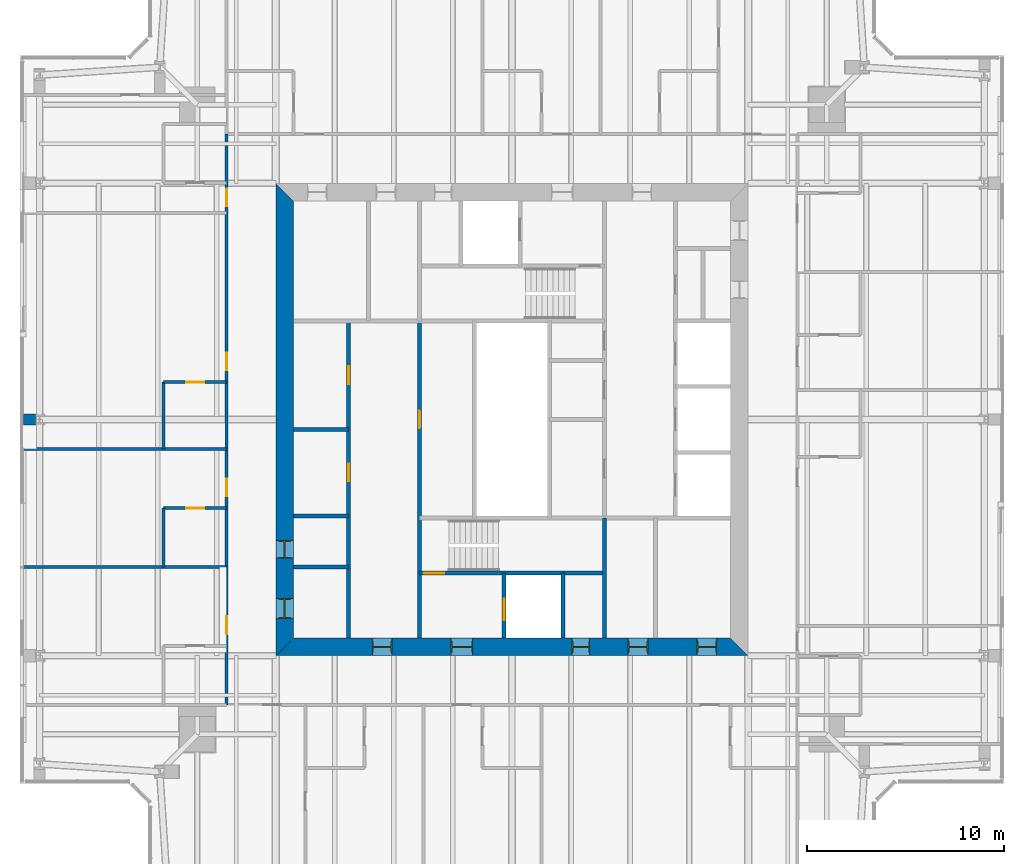
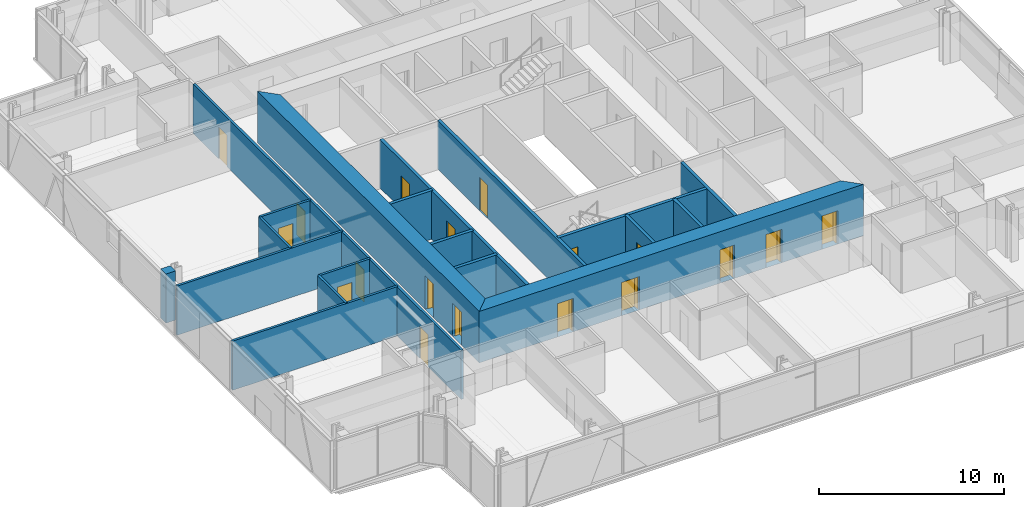
# One storey, part 12 of 18: 19 walls, 18 doors, 18 openings.
"""IFC4 building model written with IfcOpenShell, lengths in metres."""

import ifcopenshell
import ifcopenshell.guid

model = None  # the IFC model being written
_history = None  # IfcOwnerHistory: only IFC2X3 demands one
_inside = {}  # id of a spatial element -> (the spatial element, [elements in it])
_under = {}  # id of a project, library or spatial element -> (it, [spatial elements below it])
_declared = {}  # id of a project -> (the project, [libraries it declares])
_typed = {}  # id of a type object -> (the type object, [elements of that type])
_made_of = {}  # id of a material, layer set ... -> (it, [elements and type objects made of it])


def new_model(schema):
    """Start an empty IFC model of exactly this schema.

    Asked for "IFC4X3", IfcOpenShell would pick the latest addendum, in which some entities
    have other attributes; the version numbers below select the first issue.
    IFC2X3 requires an IfcOwnerHistory on every rooted entity: one is made here for all.
    """
    global model, _history
    if schema == "IFC4X3":
        model = ifcopenshell.file(schema_version=(4, 3, 0, 0))
    else:
        model = ifcopenshell.file(schema=schema)
    _inside.clear()
    _under.clear()
    _declared.clear()
    _typed.clear()
    _made_of.clear()
    _history = None
    if model.schema == "IFC2X3":
        org = make("IfcOrganization", Name="unknown")
        user = make(
            "IfcPersonAndOrganization",
            ThePerson=make("IfcPerson", FamilyName="unknown"),
            TheOrganization=org,
        )
        app = make(
            "IfcApplication",
            ApplicationDeveloper=org,
            Version="unknown",
            ApplicationFullName="unknown",
            ApplicationIdentifier="unknown",
        )
        _history = make(
            "IfcOwnerHistory",
            OwningUser=user,
            OwningApplication=app,
            ChangeAction="ADDED",
            CreationDate=0,
        )
    return model


def make(cls, **values):
    """One entity of the class cls with the attributes given. An attribute that is None is left unset."""
    return model.create_entity(
        cls, **{name: value for name, value in values.items() if value is not None}
    )


def rooted(cls, **values):
    """An entity with a GlobalId (a new one), such as an element, a storey or a relation."""
    return make(cls, GlobalId=ifcopenshell.guid.new(), OwnerHistory=_history, **values)


def si_unit(unit_type, name, prefix=None):
    """IfcSIUnit, for example si_unit("LENGTHUNIT", "METRE", prefix="MILLI")."""
    return make("IfcSIUnit", UnitType=unit_type, Prefix=prefix, Name=name)


def assignment(units):
    """IfcUnitAssignment: the units of a project."""
    return None if units is None else make("IfcUnitAssignment", Units=units)


def point(xyz):
    """IfcCartesianPoint."""
    return None if xyz is None else make("IfcCartesianPoint", Coordinates=xyz)


def direction(xyz):
    """IfcDirection."""
    return None if xyz is None else make("IfcDirection", DirectionRatios=xyz)


def frame(location, z_axis=None, x_axis=None):
    """IfcAxis2Placement3D, a coordinate frame: its origin and axes. An axis left out is left unset."""
    return make(
        "IfcAxis2Placement3D",
        Location=point(location),
        Axis=direction(z_axis),
        RefDirection=direction(x_axis),
    )


def frame_2d(location, x_axis=None):
    """IfcAxis2Placement2D, a coordinate frame in the plane: its origin and x axis."""
    return make(
        "IfcAxis2Placement2D", Location=point(location), RefDirection=direction(x_axis)
    )


def origin():
    """The frame at (0, 0, 0) with its axes left unset."""
    return frame((0.0, 0.0, 0.0))


def place(relative_to, where):
    """IfcLocalPlacement: puts the frame where relative to a parent placement (None: the world)."""
    return make(
        "IfcLocalPlacement", PlacementRelTo=relative_to, RelativePlacement=where
    )


def context(
    kind, dimensions, precision=None, world=None, true_north=None, identifier=None
):
    """IfcGeometricRepresentationContext, for example the 3D "Model" context."""
    return make(
        "IfcGeometricRepresentationContext",
        ContextIdentifier=identifier,
        ContextType=kind,
        CoordinateSpaceDimension=dimensions,
        Precision=precision,
        WorldCoordinateSystem=world,
        TrueNorth=true_north,
    )


def subcontext(parent, identifier, kind, view, scale=None):
    """IfcGeometricRepresentationSubContext, for example "Body" below "Model"."""
    return make(
        "IfcGeometricRepresentationSubContext",
        ContextIdentifier=identifier,
        ContextType=kind,
        ParentContext=parent,
        TargetScale=scale,
        TargetView=view,
    )


def project(units=None, contexts=None):
    """IfcProject with its units and contexts."""
    return rooted(
        "IfcProject",
        Name="project",
        RepresentationContexts=contexts,
        UnitsInContext=assignment(units),
    )


def spatial(cls, under=None, at=None, **own):
    """A site, building, storey or space (cls), placed at a placement, below another one or the project."""
    s = rooted(cls, ObjectPlacement=at, **own)
    if under is not None:
        _under.setdefault(under.id(), (under, []))[1].append(s)
    return s


def polyline(points):
    """IfcPolyline through the points."""
    return make("IfcPolyline", Points=[point(p) for p in points])


def profile(cls, at=None, kind="AREA", **sizes):
    """A parametric profile (cls). Its sizes go by their IFC names, for example OverallWidth=200.0."""
    return make(cls, ProfileType=kind, Position=at, **sizes)


def rectangle(**sizes):
    """IfcRectangleProfileDef."""
    return profile("IfcRectangleProfileDef", **sizes)


def outline(outer, holes=None, kind="AREA"):
    """IfcArbitraryClosedProfileDef: a profile drawn as a closed curve; with holes, ...WithVoids."""
    if holes is None:
        return make("IfcArbitraryClosedProfileDef", ProfileType=kind, OuterCurve=outer)
    return make(
        "IfcArbitraryProfileDefWithVoids",
        ProfileType=kind,
        OuterCurve=outer,
        InnerCurves=holes,
    )


def extrude(swept, where, along, depth):
    """IfcExtrudedAreaSolid: the profile swept, set in the frame where, extruded along a direction by depth."""
    return make(
        "IfcExtrudedAreaSolid",
        SweptArea=swept,
        Position=where,
        ExtrudedDirection=direction(along),
        Depth=depth,
    )


def shape(context_of_items, identifier, shape_type, items):
    """IfcShapeRepresentation: the items that make up one representation, for example the "Body"."""
    return make(
        "IfcShapeRepresentation",
        ContextOfItems=context_of_items,
        RepresentationIdentifier=identifier,
        RepresentationType=shape_type,
        Items=items,
    )


def material(Name=None, Category=None):
    """IfcMaterial."""
    return make("IfcMaterial", Name=Name, Category=Category)


def layer(
    of_material, thickness, ventilated=None, Name=None, Category=None, Priority=None
):
    """IfcMaterialLayer: one layer of a wall or slab, of a material (None: an air gap)."""
    return make(
        "IfcMaterialLayer",
        Material=of_material,
        LayerThickness=thickness,
        IsVentilated=ventilated,
        Name=Name,
        Category=Category,
        Priority=Priority,
    )


def layer_set(layers, Name=None):
    """IfcMaterialLayerSet."""
    return make("IfcMaterialLayerSet", MaterialLayers=layers, LayerSetName=Name)


def made_of(thing, what):
    """Note that an element or type object is made of a material, layer set ...; save() writes the relation."""
    if what is not None:
        _made_of.setdefault(what.id(), (what, []))[1].append(thing)
    return thing


def type_object(cls, material=None, **own):
    """A type object (cls), such as IfcWallType, which elements share."""
    return made_of(rooted(cls, **own), material)


def element(
    cls,
    number,
    at=None,
    inside=None,
    cuts=None,
    type_object=None,
    material=None,
    context=None,
    identifier="Body",
    shape_type=None,
    held_by="IfcProductDefinitionShape",
    body=None,
    shapes=None,
    **own,
):
    """One element of the class cls, such as IfcWall. Its Tag is "e" and its number.

    at: its placement. inside: the storey or other place that contains it. cuts: it is an
    opening in that element (IfcRelVoidsElement). A single representation is given by context,
    identifier, shape_type and body (its items); several are given by shapes. held_by: the class
    of the entity that holds the representations. save() writes the other relations.
    """
    e = rooted(cls, Tag="e%d" % number, ObjectPlacement=at, **own)
    if body is not None:
        shapes = [shape(context, identifier, shape_type, body)]
    if shapes is not None:
        e.Representation = make(held_by, Representations=shapes)
    if inside is not None:
        _inside.setdefault(inside.id(), (inside, []))[1].append(e)
    if cuts is not None:
        rooted(
            "IfcRelVoidsElement", RelatingBuildingElement=cuts, RelatedOpeningElement=e
        )
    if type_object is not None:
        _typed.setdefault(type_object.id(), (type_object, []))[1].append(e)
    return made_of(e, material)


def fill(opening, filler):
    """IfcRelFillsElement: the door or window that sits in an opening."""
    return rooted(
        "IfcRelFillsElement",
        RelatingOpeningElement=opening,
        RelatedBuildingElement=filler,
    )


def aggregate(whole, parts):
    """IfcRelAggregates: a whole, such as a stair, and the parts it consists of."""
    return rooted("IfcRelAggregates", RelatingObject=whole, RelatedObjects=parts)


def save(model, path):
    """Write the relations noted so far, then the file.

    IfcRelAggregates (storeys below a building ...), IfcRelContainedInSpatialStructure (elements
    in a storey), IfcRelDefinesByType, IfcRelAssociatesMaterial and IfcRelDeclares: one each for
    every whole, place, type object, material and project.
    """
    for whole, parts in _under.values():
        aggregate(whole, parts)
    for where, things in _inside.values():
        rooted(
            "IfcRelContainedInSpatialStructure",
            RelatedElements=things,
            RelatingStructure=where,
        )
    for kind, things in _typed.values():
        rooted("IfcRelDefinesByType", RelatedObjects=things, RelatingType=kind)
    for what, things in _made_of.values():
        rooted("IfcRelAssociatesMaterial", RelatedObjects=things, RelatingMaterial=what)
    for by, libraries in _declared.values():
        rooted("IfcRelDeclares", RelatingContext=by, RelatedDefinitions=libraries)
    model.write(path)


model = new_model("IFC4")

# Units and contexts
model_context = context("Model", 3, precision=1e-05, world=origin(), true_north=direction((0.0, 1.0)))
body_context = subcontext(model_context, "Body", "Model", "MODEL_VIEW")
ifc_project = project(units=[si_unit("LENGTHUNIT", "METRE"), si_unit("AREAUNIT", "SQUARE_METRE"), si_unit("VOLUMEUNIT", "CUBIC_METRE"), si_unit("PLANEANGLEUNIT", "RADIAN"), si_unit("MASSUNIT", "GRAM", prefix="KILO")], contexts=[model_context])

# Site, building, storey
site_placement = place(None, origin())
site = spatial("IfcSite", under=ifc_project, at=site_placement, CompositionType="ELEMENT")
building_placement = place(site_placement, origin())
building = spatial("IfcBuilding", under=site, at=building_placement, Name="Fenwick Lantern Interchange", CompositionType="ELEMENT")
storey_placement = place(building_placement, frame((0.0, 0.0, 290.0)))
storey = spatial("IfcBuildingStorey", under=building, at=storey_placement, Name="L70", CompositionType="ELEMENT", Elevation=290.0)

# Wall
ifc_material_1 = material(Name="Fire-rated gypsum board encasement on steel studs, 2 hour", Category="steel")
ifc_layer_1 = layer(ifc_material_1, 0.574951171875)
ifc_layer_set_1 = layer_set([ifc_layer_1], Name="COLUMN PIER 575")
wall_type_1 = type_object("IfcWallType", Name="COLUMN PIER 575", PredefinedType="PARTITIONING", material=ifc_layer_set_1)
wall_1_placement = place(storey_placement, frame((0.18994140625, 25.0, 0.0), z_axis=(0.0, 0.0, 1.0), x_axis=(1.0, 0.0, 0.0)))
element("IfcWall", 1, at=wall_1_placement, inside=storey, type_object=wall_type_1, Name="L70/W/PIER/CW3", PredefinedType="PARTITIONING", context=body_context, shape_type="SweptSolid", body=[
    extrude(rectangle(XDim=0.597900390625, YDim=0.574951171875, at=frame_2d((0.298828125, 0.0))), origin(), (0.0, 0.0, 1.0), 3.25),
])

# Wall, openings, doors
ifc_material_2 = material(Name="Concrete masonry ASTM C90 Grade N", Category="masonry")
ifc_layer_2 = layer(ifc_material_2, 0.199951171875)
ifc_layer_set_2 = layer_set([ifc_layer_2], Name="Concrete masonry ASTM C90 Grade N")
wall_type_2 = type_object("IfcWallType", Name="CORE PARTITION 200", PredefinedType="PARTITIONING", material=ifc_layer_set_2)
wall_2_placement = place(storey_placement, frame((16.699951171875, 13.89990234375, 0.0), z_axis=(0.0, 0.0, 1.0), x_axis=(0.0, 1.0, 0.0)))
wall_2 = element("IfcWall", 2, at=wall_2_placement, inside=storey, type_object=wall_type_2, Name="L70/W/CORES/a", PredefinedType="PARTITIONING", context=body_context, shape_type="SweptSolid", body=[
    extrude(rectangle(XDim=16.10009765625, YDim=0.199951171875, at=frame_2d((8.050048828125, 0.0))), origin(), (0.0, 0.0, 1.0), 3.199951171875),
])
opening_1_placement = place(wall_2_placement, frame((7.949951171875, 0.0, 0.0)))
opening_1 = element("IfcOpeningElement", 3, at=opening_1_placement, cuts=wall_2, Name="Opening L70-D009", PredefinedType="OPENING", context=body_context, shape_type="SweptSolid", body=[
    extrude(rectangle(XDim=0.89990234375, YDim=2.199951171875, at=frame_2d((0.449951171875, 1.10009765625))), frame((0.0, 0.10986328125, 0.0), z_axis=(0.0, -1.0, 0.0), x_axis=(1.0, 0.0, 0.0)), (0.0, 0.0, 1.0), 0.219970703125),
])
opening_2_placement = place(wall_2_placement, frame((12.89990234375, 0.0, 0.0)))
opening_2 = element("IfcOpeningElement", 4, at=opening_2_placement, cuts=wall_2, Name="Opening L70-D010", PredefinedType="OPENING", context=body_context, shape_type="SweptSolid", body=[
    extrude(rectangle(XDim=0.89990234375, YDim=2.199951171875, at=frame_2d((0.449951171875, 1.10009765625))), frame((0.0, 0.10986328125, 0.0), z_axis=(0.0, -1.0, 0.0), x_axis=(1.0, 0.0, 0.0)), (0.0, 0.0, 1.0), 0.219970703125),
])
ifc_material_3 = material(Name="Steel door and frame", Category="steel")
door_type_1 = type_object("IfcDoorType", Name="SERVICE DOOR 900 X 2200", OperationType="SINGLE_SWING_LEFT", PredefinedType="DOOR", material=ifc_material_3)
door_1_placement = place(opening_1_placement, origin())
door_1 = element("IfcDoor", 5, at=door_1_placement, inside=storey, type_object=door_type_1, Name="Service door", OperationType="SINGLE_SWING_LEFT", OverallHeight=2.199951171875, OverallWidth=0.89990234375, PredefinedType="DOOR", context=body_context, shape_type="SweptSolid", body=[
    extrude(rectangle(XDim=0.89990234375, YDim=2.199951171875, at=frame_2d((0.449951171875, 1.10009765625))), frame((0.0, 0.02490234375, 0.0), z_axis=(0.0, -1.0, 0.0), x_axis=(1.0, 0.0, 0.0)), (0.0, 0.0, 1.0), 0.050048828125),
])
fill(opening_1, door_1)
door_2_placement = place(opening_2_placement, origin())
door_2 = element("IfcDoor", 6, at=door_2_placement, inside=storey, type_object=door_type_1, Name="Service door", OperationType="SINGLE_SWING_LEFT", OverallHeight=2.199951171875, OverallWidth=0.89990234375, PredefinedType="DOOR", context=body_context, shape_type="SweptSolid", body=[
    extrude(rectangle(XDim=0.89990234375, YDim=2.199951171875, at=frame_2d((0.449951171875, 1.10009765625))), frame((0.0, 0.02490234375, 0.0), z_axis=(0.0, -1.0, 0.0), x_axis=(1.0, 0.0, 0.0)), (0.0, 0.0, 1.0), 0.050048828125),
])
fill(opening_2, door_2)

# Wall, opening, door
wall_3_placement = place(storey_placement, frame((24.60009765625, 13.89990234375, 0.0), z_axis=(0.0, 0.0, 1.0), x_axis=(0.0, 1.0, 0.0)))
wall_3 = element("IfcWall", 7, at=wall_3_placement, inside=storey, type_object=wall_type_2, Name="L70/W/CORES/h1", PredefinedType="PARTITIONING", context=body_context, shape_type="SweptSolid", body=[
    extrude(rectangle(XDim=3.300048828125, YDim=0.199951171875, at=frame_2d((1.64990234375, 0.0))), origin(), (0.0, 0.0, 1.0), 3.199951171875),
])
opening_3_placement = place(wall_3_placement, frame((0.89990234375, 0.0, 0.0)))
opening_3 = element("IfcOpeningElement", 8, at=opening_3_placement, cuts=wall_3, Name="Opening LD-FL1", PredefinedType="OPENING", context=body_context, shape_type="SweptSolid", body=[
    extrude(rectangle(XDim=1.10009765625, YDim=2.199951171875, at=frame_2d((0.550048828125, 1.10009765625))), frame((0.0, 0.10986328125, 0.0), z_axis=(0.0, -1.0, 0.0), x_axis=(1.0, 0.0, 0.0)), (0.0, 0.0, 1.0), 0.219970703125),
])
door_type_2 = type_object("IfcDoorType", Name="LIFT LANDING DOOR 1100 X 2200", OperationType="DOUBLE_DOOR_SLIDING", PredefinedType="DOOR", material=ifc_material_3)
door_3_placement = place(opening_3_placement, origin())
door_3 = element("IfcDoor", 9, at=door_3_placement, inside=storey, type_object=door_type_2, Name="Lift landing door FL1", OperationType="DOUBLE_DOOR_SLIDING", OverallHeight=2.199951171875, OverallWidth=1.10009765625, PredefinedType="DOOR", context=body_context, shape_type="SweptSolid", body=[
    extrude(rectangle(XDim=1.10009765625, YDim=2.199951171875, at=frame_2d((0.550048828125, 1.10009765625))), frame((0.0, 0.02490234375, 0.0), z_axis=(0.0, -1.0, 0.0), x_axis=(1.0, 0.0, 0.0)), (0.0, 0.0, 1.0), 0.050048828125),
])
fill(opening_3, door_3)

# Walls
wall_4_placement = place(storey_placement, frame((27.60009765625, 13.89990234375, 0.0), z_axis=(0.0, 0.0, 1.0), x_axis=(0.0, 1.0, 0.0)))
element("IfcWall", 10, at=wall_4_placement, inside=storey, type_object=wall_type_2, Name="L70/W/CORES/h2", PredefinedType="PARTITIONING", context=body_context, shape_type="SweptSolid", body=[
    extrude(rectangle(XDim=3.300048828125, YDim=0.199951171875, at=frame_2d((1.64990234375, 0.0))), origin(), (0.0, 0.0, 1.0), 3.199951171875),
])
for number, where, z_axis, x_axis, name in (
    (11, (13.89990234375, 17.5, 0.0), (0.0, 0.0, 1.0), (1.0, 0.0, 0.0), "L70/W/CORES/p1"),
    (12, (13.89990234375, 20.10009765625, 0.0), (0.0, 0.0, 1.0), (1.0, 0.0, 0.0), "L70/W/CORES/p2"),
    (13, (13.89990234375, 24.5, 0.0), (0.0, 0.0, 1.0), (1.0, 0.0, 0.0), "L70/W/CORES/p3"),
):
    element("IfcWall", number, at=place(storey_placement, frame(where, z_axis=z_axis, x_axis=x_axis)), inside=storey, type_object=wall_type_2, Name=name, PredefinedType="PARTITIONING", context=body_context, shape_type="SweptSolid", body=[
        extrude(rectangle(XDim=2.800048828125, YDim=0.199951171875, at=frame_2d((1.39990234375, 0.0))), origin(), (0.0, 0.0, 1.0), 3.199951171875),
    ])

# Wall, openings, doors
ifc_material_4 = material(Name="Concrete f'c 70 MPa", Category="concrete")
ifc_layer_3 = layer(ifc_material_4, 0.89990234375)
ifc_layer_set_3 = layer_set([ifc_layer_3], Name="CORE WALL 900")
wall_type_3 = type_object("IfcWallType", Name="CORE WALL 900", PredefinedType="SHEAR", material=ifc_layer_set_3)
wall_5_placement = place(storey_placement, frame((13.0, 13.449951171875, 0.0), z_axis=(0.0, 0.0, 1.0), x_axis=(1.0, 0.0, 0.0)))
wall_5 = element("IfcWall", 14, at=wall_5_placement, inside=storey, type_object=wall_type_3, Name="L70/CORE/S", PredefinedType="SHEAR", context=body_context, shape_type="SweptSolid", body=[
    extrude(outline(polyline([(0.0, -0.449951171875), (24.0, -0.449951171875), (23.10009765625, 0.449951171875), (0.89990234375, 0.449951171875), (0.0, -0.449951171875)])), origin(), (0.0, 0.0, 1.0), 3.39990234375),
])
opening_4_placement = place(wall_5_placement, frame((4.89990234375, 0.0, 0.0)))
opening_4 = element("IfcOpeningElement", 15, at=opening_4_placement, cuts=wall_5, Name="Opening L70-D001", PredefinedType="OPENING", context=body_context, shape_type="SweptSolid", body=[
    extrude(rectangle(XDim=1.0, YDim=2.199951171875, at=frame_2d((0.5, 1.10009765625))), frame((0.0, 0.4599609375, 0.0), z_axis=(0.0, -1.0, 0.0), x_axis=(1.0, 0.0, 0.0)), (0.0, 0.0, 1.0), 0.919921875),
])
opening_5_placement = place(wall_5_placement, frame((8.89990234375, 0.0, 0.0)))
opening_5 = element("IfcOpeningElement", 16, at=opening_5_placement, cuts=wall_5, Name="Opening L70-D002", PredefinedType="OPENING", context=body_context, shape_type="SweptSolid", body=[
    extrude(rectangle(XDim=1.10009765625, YDim=2.199951171875, at=frame_2d((0.550048828125, 1.10009765625))), frame((0.0, 0.4599609375, 0.0), z_axis=(0.0, -1.0, 0.0), x_axis=(1.0, 0.0, 0.0)), (0.0, 0.0, 1.0), 0.919921875),
])
opening_6_placement = place(wall_5_placement, frame((15.050048828125, 0.0, 0.0)))
opening_6 = element("IfcOpeningElement", 17, at=opening_6_placement, cuts=wall_5, Name="Opening L70-D004", PredefinedType="OPENING", context=body_context, shape_type="SweptSolid", body=[
    extrude(rectangle(XDim=0.89990234375, YDim=2.199951171875, at=frame_2d((0.449951171875, 1.10009765625))), frame((0.0, 0.4599609375, 0.0), z_axis=(0.0, -1.0, 0.0), x_axis=(1.0, 0.0, 0.0)), (0.0, 0.0, 1.0), 0.919921875),
])
opening_7_placement = place(wall_5_placement, frame((17.89990234375, 0.0, 0.0)))
opening_7 = element("IfcOpeningElement", 18, at=opening_7_placement, cuts=wall_5, Name="Opening L70-D005", PredefinedType="OPENING", context=body_context, shape_type="SweptSolid", body=[
    extrude(rectangle(XDim=1.0, YDim=2.199951171875, at=frame_2d((0.5, 1.10009765625))), frame((0.0, 0.4599609375, 0.0), z_axis=(0.0, -1.0, 0.0), x_axis=(1.0, 0.0, 0.0)), (0.0, 0.0, 1.0), 0.919921875),
])
opening_8_placement = place(wall_5_placement, frame((21.39990234375, 0.0, 0.0)))
opening_8 = element("IfcOpeningElement", 19, at=opening_8_placement, cuts=wall_5, Name="Opening L70-D006", PredefinedType="OPENING", context=body_context, shape_type="SweptSolid", body=[
    extrude(rectangle(XDim=1.0, YDim=2.199951171875, at=frame_2d((0.5, 1.10009765625))), frame((0.0, 0.4599609375, 0.0), z_axis=(0.0, -1.0, 0.0), x_axis=(1.0, 0.0, 0.0)), (0.0, 0.0, 1.0), 0.919921875),
])
door_type_3 = type_object("IfcDoorType", Name="CORE LOBBY DOOR 1000 X 2200", OperationType="SINGLE_SWING_LEFT", PredefinedType="DOOR", material=ifc_material_3)
door_4_placement = place(opening_4_placement, origin())
door_4 = element("IfcDoor", 20, at=door_4_placement, inside=storey, type_object=door_type_3, Name="Core lobby door", OperationType="SINGLE_SWING_LEFT", OverallHeight=2.199951171875, OverallWidth=1.0, PredefinedType="DOOR", context=body_context, shape_type="SweptSolid", body=[
    extrude(rectangle(XDim=1.0, YDim=2.199951171875, at=frame_2d((0.5, 1.10009765625))), frame((0.0, 0.02490234375, 0.0), z_axis=(0.0, -1.0, 0.0), x_axis=(1.0, 0.0, 0.0)), (0.0, 0.0, 1.0), 0.050048828125),
    extrude(outline(polyline([(0.0, 0.0), (0.0400390625, 0.0), (0.0400390625, 2.159912109375), (0.9599609375, 2.159912109375), (0.9599609375, 0.0), (1.0, 0.0), (1.0, 2.199951171875), (0.0, 2.199951171875), (0.0, 0.0)])), frame((0.0, 0.300048828125, 0.0), z_axis=(0.0, -1.0, 0.0), x_axis=(1.0, 0.0, 0.0)), (0.0, 0.0, 1.0), 0.60009765625),
])
fill(opening_4, door_4)
door_type_4 = type_object("IfcDoorType", Name="FIRE LOBBY DOOR 1100 X 2200", OperationType="SINGLE_SWING_LEFT", PredefinedType="DOOR", material=ifc_material_3)
door_5_placement = place(opening_5_placement, origin())
door_5 = element("IfcDoor", 21, at=door_5_placement, inside=storey, type_object=door_type_4, Name="Fire lobby door", OperationType="SINGLE_SWING_LEFT", OverallHeight=2.199951171875, OverallWidth=1.10009765625, PredefinedType="DOOR", context=body_context, shape_type="SweptSolid", body=[
    extrude(rectangle(XDim=1.10009765625, YDim=2.199951171875, at=frame_2d((0.550048828125, 1.10009765625))), frame((0.0, 0.02490234375, 0.0), z_axis=(0.0, -1.0, 0.0), x_axis=(1.0, 0.0, 0.0)), (0.0, 0.0, 1.0), 0.050048828125),
    extrude(outline(polyline([(0.0, 0.0), (0.0400390625, 0.0), (0.0400390625, 2.159912109375), (1.06005859375, 2.159912109375), (1.06005859375, 0.0), (1.10009765625, 0.0), (1.10009765625, 2.199951171875), (0.0, 2.199951171875), (0.0, 0.0)])), frame((0.0, 0.300048828125, 0.0), z_axis=(0.0, -1.0, 0.0), x_axis=(1.0, 0.0, 0.0)), (0.0, 0.0, 1.0), 0.60009765625),
])
fill(opening_5, door_5)
door_6_placement = place(opening_6_placement, origin())
door_6 = element("IfcDoor", 22, at=door_6_placement, inside=storey, type_object=door_type_1, Name="Service door", OperationType="SINGLE_SWING_LEFT", OverallHeight=2.199951171875, OverallWidth=0.89990234375, PredefinedType="DOOR", context=body_context, shape_type="SweptSolid", body=[
    extrude(rectangle(XDim=0.89990234375, YDim=2.199951171875, at=frame_2d((0.449951171875, 1.10009765625))), frame((0.0, 0.02490234375, 0.0), z_axis=(0.0, -1.0, 0.0), x_axis=(1.0, 0.0, 0.0)), (0.0, 0.0, 1.0), 0.050048828125),
    extrude(outline(polyline([(0.0, 0.0), (0.0400390625, 0.0), (0.0400390625, 2.159912109375), (0.85986328125, 2.159912109375), (0.85986328125, 0.0), (0.89990234375, 0.0), (0.89990234375, 2.199951171875), (0.0, 2.199951171875), (0.0, 0.0)])), frame((0.0, 0.300048828125, 0.0), z_axis=(0.0, -1.0, 0.0), x_axis=(1.0, 0.0, 0.0)), (0.0, 0.0, 1.0), 0.60009765625),
])
fill(opening_6, door_6)
ifc_material_5 = material(Name="Hardwood door and steel frame", Category="steel")
door_type_5 = type_object("IfcDoorType", Name="WC DOOR 1000 X 2200", OperationType="SINGLE_SWING_LEFT", PredefinedType="DOOR", material=ifc_material_5)
door_7_placement = place(opening_7_placement, origin())
door_7 = element("IfcDoor", 23, at=door_7_placement, inside=storey, type_object=door_type_5, Name="Wc door", OperationType="SINGLE_SWING_RIGHT", OverallHeight=2.199951171875, OverallWidth=1.0, PredefinedType="DOOR", context=body_context, shape_type="SweptSolid", body=[
    extrude(rectangle(XDim=1.0, YDim=2.199951171875, at=frame_2d((0.5, 1.10009765625))), frame((0.0, 0.02490234375, 0.0), z_axis=(0.0, -1.0, 0.0), x_axis=(1.0, 0.0, 0.0)), (0.0, 0.0, 1.0), 0.050048828125),
    extrude(outline(polyline([(0.0, 0.0), (0.0400390625, 0.0), (0.0400390625, 2.159912109375), (0.9599609375, 2.159912109375), (0.9599609375, 0.0), (1.0, 0.0), (1.0, 2.199951171875), (0.0, 2.199951171875), (0.0, 0.0)])), frame((0.0, 0.300048828125, 0.0), z_axis=(0.0, -1.0, 0.0), x_axis=(1.0, 0.0, 0.0)), (0.0, 0.0, 1.0), 0.60009765625),
])
fill(opening_7, door_7)
door_8_placement = place(opening_8_placement, origin())
door_8 = element("IfcDoor", 24, at=door_8_placement, inside=storey, type_object=door_type_5, Name="Wc door", OperationType="SINGLE_SWING_RIGHT", OverallHeight=2.199951171875, OverallWidth=1.0, PredefinedType="DOOR", context=body_context, shape_type="SweptSolid", body=[
    extrude(rectangle(XDim=1.0, YDim=2.199951171875, at=frame_2d((0.5, 1.10009765625))), frame((0.0, 0.02490234375, 0.0), z_axis=(0.0, -1.0, 0.0), x_axis=(1.0, 0.0, 0.0)), (0.0, 0.0, 1.0), 0.050048828125),
    extrude(outline(polyline([(0.0, 0.0), (0.0400390625, 0.0), (0.0400390625, 2.159912109375), (0.9599609375, 2.159912109375), (0.9599609375, 0.0), (1.0, 0.0), (1.0, 2.199951171875), (0.0, 2.199951171875), (0.0, 0.0)])), frame((0.0, 0.300048828125, 0.0), z_axis=(0.0, -1.0, 0.0), x_axis=(1.0, 0.0, 0.0)), (0.0, 0.0, 1.0), 0.60009765625),
])
fill(opening_8, door_8)

wall_6_placement = place(storey_placement, frame((13.449951171875, 36.10009765625, 0.0), z_axis=(0.0, 0.0, 1.0), x_axis=(0.0, -1.0, 0.0)))
wall_6 = element("IfcWall", 25, at=wall_6_placement, inside=storey, type_object=wall_type_3, Name="L70/CORE/W", PredefinedType="SHEAR", context=body_context, shape_type="SweptSolid", body=[
    extrude(outline(polyline([(-0.89990234375, -0.449951171875), (23.10009765625, -0.449951171875), (22.199951171875, 0.449951171875), (0.0, 0.449951171875), (-0.89990234375, -0.449951171875)])), origin(), (0.0, 0.0, 1.0), 3.39990234375),
])
opening_9_placement = place(wall_6_placement, frame((20.199951171875, 0.0, 0.0)))
opening_9 = element("IfcOpeningElement", 26, at=opening_9_placement, cuts=wall_6, Name="Opening L70-D007", PredefinedType="OPENING", context=body_context, shape_type="SweptSolid", body=[
    extrude(rectangle(XDim=1.0, YDim=2.199951171875, at=frame_2d((0.5, 1.10009765625))), frame((0.0, 0.4599609375, 0.0), z_axis=(0.0, -1.0, 0.0), x_axis=(1.0, 0.0, 0.0)), (0.0, 0.0, 1.0), 0.919921875),
])
opening_10_placement = place(wall_6_placement, frame((17.25, 0.0, 0.0)))
opening_10 = element("IfcOpeningElement", 27, at=opening_10_placement, cuts=wall_6, Name="Opening L70-D008", PredefinedType="OPENING", context=body_context, shape_type="SweptSolid", body=[
    extrude(rectangle(XDim=0.89990234375, YDim=2.199951171875, at=frame_2d((0.449951171875, 1.10009765625))), frame((0.0, 0.4599609375, 0.0), z_axis=(0.0, -1.0, 0.0), x_axis=(1.0, 0.0, 0.0)), (0.0, 0.0, 1.0), 0.919921875),
])
door_9_placement = place(opening_10_placement, origin())
door_9 = element("IfcDoor", 28, at=door_9_placement, inside=storey, type_object=door_type_1, Name="Service door", OperationType="SINGLE_SWING_RIGHT", OverallHeight=2.199951171875, OverallWidth=0.89990234375, PredefinedType="DOOR", context=body_context, shape_type="SweptSolid", body=[
    extrude(rectangle(XDim=0.89990234375, YDim=2.199951171875, at=frame_2d((0.449951171875, 1.10009765625))), frame((0.0, 0.02490234375, 0.0), z_axis=(0.0, -1.0, 0.0), x_axis=(1.0, 0.0, 0.0)), (0.0, 0.0, 1.0), 0.050048828125),
    extrude(outline(polyline([(0.0, 0.0), (0.0400390625, 0.0), (0.0400390625, 2.159912109375), (0.85986328125, 2.159912109375), (0.85986328125, 0.0), (0.89990234375, 0.0), (0.89990234375, 2.199951171875), (0.0, 2.199951171875), (0.0, 0.0)])), frame((0.0, 0.300048828125, 0.0), z_axis=(0.0, -1.0, 0.0), x_axis=(1.0, 0.0, 0.0)), (0.0, 0.0, 1.0), 0.60009765625),
])
fill(opening_10, door_9)
door_10_placement = place(opening_9_placement, origin())
door_10 = element("IfcDoor", 29, at=door_10_placement, inside=storey, type_object=door_type_5, Name="Wc door", OperationType="SINGLE_SWING_RIGHT", OverallHeight=2.199951171875, OverallWidth=1.0, PredefinedType="DOOR", context=body_context, shape_type="SweptSolid", body=[
    extrude(rectangle(XDim=1.0, YDim=2.199951171875, at=frame_2d((0.5, 1.10009765625))), frame((0.0, 0.02490234375, 0.0), z_axis=(0.0, -1.0, 0.0), x_axis=(1.0, 0.0, 0.0)), (0.0, 0.0, 1.0), 0.050048828125),
    extrude(outline(polyline([(0.0, 0.0), (0.0400390625, 0.0), (0.0400390625, 2.159912109375), (0.9599609375, 2.159912109375), (0.9599609375, 0.0), (1.0, 0.0), (1.0, 2.199951171875), (0.0, 2.199951171875), (0.0, 0.0)])), frame((0.0, 0.300048828125, 0.0), z_axis=(0.0, -1.0, 0.0), x_axis=(1.0, 0.0, 0.0)), (0.0, 0.0, 1.0), 0.60009765625),
])
fill(opening_9, door_10)

ifc_material_6 = material(Name="Gypsum board on steel studs, 1 hour", Category="steel")
ifc_layer_4 = layer(ifc_material_6, 0.14990234375)
ifc_layer_set_4 = layer_set([ifc_layer_4], Name="CORRIDOR WALL 150")
wall_type_4 = type_object("IfcWallType", Name="CORRIDOR WALL 150", PredefinedType="PARTITIONING", material=ifc_layer_set_4)
wall_7_placement = place(storey_placement, frame((10.5, 39.5, 0.0), z_axis=(0.0, 0.0, 1.0), x_axis=(0.0, -1.0, 0.0)))
wall_7 = element("IfcWall", 30, at=wall_7_placement, inside=storey, type_object=wall_type_4, Name="L70/W/HOTEL/W/CW", PredefinedType="PARTITIONING", context=body_context, shape_type="SweptSolid", body=[
    extrude(rectangle(XDim=29.0, YDim=0.14990234375, at=frame_2d((14.5, 0.0))), origin(), (0.0, 0.0, 1.0), 3.25),
])
opening_11_placement = place(wall_7_placement, frame((2.77490234375, 0.0, 0.0)))
opening_11 = element("IfcOpeningElement", 31, at=opening_11_placement, cuts=wall_7, Name="Opening L70-D049", PredefinedType="OPENING", context=body_context, shape_type="SweptSolid", body=[
    extrude(rectangle(XDim=0.89990234375, YDim=2.10009765625, at=frame_2d((0.449951171875, 1.050048828125))), frame((0.0, 0.0849609375, 0.0), z_axis=(0.0, -1.0, 0.0), x_axis=(1.0, 0.0, 0.0)), (0.0, 0.0, 1.0), 0.169921875),
])
opening_12_placement = place(wall_7_placement, frame((11.10009765625, 0.0, 0.0)))
opening_12 = element("IfcOpeningElement", 32, at=opening_12_placement, cuts=wall_7, Name="Opening L70-D051", PredefinedType="OPENING", context=body_context, shape_type="SweptSolid", body=[
    extrude(rectangle(XDim=0.89990234375, YDim=2.10009765625, at=frame_2d((0.449951171875, 1.050048828125))), frame((0.0, 0.0849609375, 0.0), z_axis=(0.0, -1.0, 0.0), x_axis=(1.0, 0.0, 0.0)), (0.0, 0.0, 1.0), 0.169921875),
])
opening_13_placement = place(wall_7_placement, frame((17.5, 0.0, 0.0)))
opening_13 = element("IfcOpeningElement", 33, at=opening_13_placement, cuts=wall_7, Name="Opening L70-D053", PredefinedType="OPENING", context=body_context, shape_type="SweptSolid", body=[
    extrude(rectangle(XDim=0.89990234375, YDim=2.10009765625, at=frame_2d((0.449951171875, 1.050048828125))), frame((0.0, 0.0849609375, 0.0), z_axis=(0.0, -1.0, 0.0), x_axis=(1.0, 0.0, 0.0)), (0.0, 0.0, 1.0), 0.169921875),
])
opening_14_placement = place(wall_7_placement, frame((24.5, 0.0, 0.0)))
opening_14 = element("IfcOpeningElement", 34, at=opening_14_placement, cuts=wall_7, Name="Opening L70-D055", PredefinedType="OPENING", context=body_context, shape_type="SweptSolid", body=[
    extrude(rectangle(XDim=0.89990234375, YDim=2.10009765625, at=frame_2d((0.449951171875, 1.050048828125))), frame((0.0, 0.0849609375, 0.0), z_axis=(0.0, -1.0, 0.0), x_axis=(1.0, 0.0, 0.0)), (0.0, 0.0, 1.0), 0.169921875),
])
door_type_6 = type_object("IfcDoorType", Name="GUEST ROOM DOOR 900 X 2100", OperationType="SINGLE_SWING_LEFT", PredefinedType="DOOR", material=ifc_material_3)
door_11_placement = place(opening_11_placement, frame((0.89990234375, 0.0, 0.0), z_axis=(0.0, 0.0, 1.0), x_axis=(-1.0, 0.0, 0.0)))
door_11 = element("IfcDoor", 35, at=door_11_placement, inside=storey, type_object=door_type_6, Name="Guest room door", OperationType="SINGLE_SWING_RIGHT", OverallHeight=2.10009765625, OverallWidth=0.89990234375, PredefinedType="DOOR", context=body_context, shape_type="SweptSolid", body=[
    extrude(rectangle(XDim=0.89990234375, YDim=2.10009765625, at=frame_2d((0.449951171875, 1.050048828125))), frame((0.0, 0.02490234375, 0.0), z_axis=(0.0, -1.0, 0.0), x_axis=(1.0, 0.0, 0.0)), (0.0, 0.0, 1.0), 0.050048828125),
])
fill(opening_11, door_11)
door_12_placement = place(opening_12_placement, frame((0.89990234375, 0.0, 0.0), z_axis=(0.0, 0.0, 1.0), x_axis=(-1.0, 0.0, 0.0)))
door_12 = element("IfcDoor", 36, at=door_12_placement, inside=storey, type_object=door_type_6, Name="Guest room door", OperationType="SINGLE_SWING_LEFT", OverallHeight=2.10009765625, OverallWidth=0.89990234375, PredefinedType="DOOR", context=body_context, shape_type="SweptSolid", body=[
    extrude(rectangle(XDim=0.89990234375, YDim=2.10009765625, at=frame_2d((0.449951171875, 1.050048828125))), frame((0.0, 0.02490234375, 0.0), z_axis=(0.0, -1.0, 0.0), x_axis=(1.0, 0.0, 0.0)), (0.0, 0.0, 1.0), 0.050048828125),
])
fill(opening_12, door_12)
door_13_placement = place(opening_13_placement, frame((0.89990234375, 0.0, 0.0), z_axis=(0.0, 0.0, 1.0), x_axis=(-1.0, 0.0, 0.0)))
door_13 = element("IfcDoor", 37, at=door_13_placement, inside=storey, type_object=door_type_6, Name="Guest room door", OperationType="SINGLE_SWING_LEFT", OverallHeight=2.10009765625, OverallWidth=0.89990234375, PredefinedType="DOOR", context=body_context, shape_type="SweptSolid", body=[
    extrude(rectangle(XDim=0.89990234375, YDim=2.10009765625, at=frame_2d((0.449951171875, 1.050048828125))), frame((0.0, 0.02490234375, 0.0), z_axis=(0.0, -1.0, 0.0), x_axis=(1.0, 0.0, 0.0)), (0.0, 0.0, 1.0), 0.050048828125),
])
fill(opening_13, door_13)
door_14_placement = place(opening_14_placement, frame((0.89990234375, 0.0, 0.0), z_axis=(0.0, 0.0, 1.0), x_axis=(-1.0, 0.0, 0.0)))
door_14 = element("IfcDoor", 38, at=door_14_placement, inside=storey, type_object=door_type_6, Name="Guest room door", OperationType="SINGLE_SWING_LEFT", OverallHeight=2.10009765625, OverallWidth=0.89990234375, PredefinedType="DOOR", context=body_context, shape_type="SweptSolid", body=[
    extrude(rectangle(XDim=0.89990234375, YDim=2.10009765625, at=frame_2d((0.449951171875, 1.050048828125))), frame((0.0, 0.02490234375, 0.0), z_axis=(0.0, -1.0, 0.0), x_axis=(1.0, 0.0, 0.0)), (0.0, 0.0, 1.0), 0.050048828125),
])
fill(opening_14, door_14)

# Wall
ifc_material_7 = material(Name="Gypsum board on steel studs, moisture resistant", Category="steel")
ifc_layer_5 = layer(ifc_material_7, 0.14990234375)
ifc_layer_set_5 = layer_set([ifc_layer_5], Name="EN-SUITE WALL 150")
wall_type_5 = type_object("IfcWallType", Name="EN-SUITE WALL 150", PredefinedType="PARTITIONING", material=ifc_layer_set_5)
wall_8_placement = place(storey_placement, frame((7.300048828125, 26.89990234375, 0.0), z_axis=(0.0, 0.0, 1.0), x_axis=(0.0, -1.0, 0.0)))
element("IfcWall", 39, at=wall_8_placement, inside=storey, type_object=wall_type_5, Name="L70/W/HOTEL/W/U2BW", PredefinedType="PARTITIONING", context=body_context, shape_type="SweptSolid", body=[
    extrude(rectangle(XDim=3.39990234375, YDim=0.14990234375, at=frame_2d((1.699951171875, 0.0))), origin(), (0.0, 0.0, 1.0), 3.25),
])

# Wall, opening, door
wall_9_placement = place(storey_placement, frame((7.300048828125, 26.89990234375, 0.0), z_axis=(0.0, 0.0, 1.0), x_axis=(1.0, 0.0, 0.0)))
wall_9 = element("IfcWall", 40, at=wall_9_placement, inside=storey, type_object=wall_type_5, Name="L70/W/HOTEL/W/U2BX", PredefinedType="PARTITIONING", context=body_context, shape_type="SweptSolid", body=[
    extrude(rectangle(XDim=3.199951171875, YDim=0.14990234375, at=frame_2d((1.60009765625, 0.0))), origin(), (0.0, 0.0, 1.0), 3.25),
])
opening_15_placement = place(wall_9_placement, frame((1.14990234375, 0.0, 0.0)))
opening_15 = element("IfcOpeningElement", 41, at=opening_15_placement, cuts=wall_9, Name="Opening L70-D050", PredefinedType="OPENING", context=body_context, shape_type="SweptSolid", body=[
    extrude(rectangle(XDim=0.89990234375, YDim=2.10009765625, at=frame_2d((0.449951171875, 1.050048828125))), frame((0.0, 0.0849609375, 0.0), z_axis=(0.0, -1.0, 0.0), x_axis=(1.0, 0.0, 0.0)), (0.0, 0.0, 1.0), 0.169921875),
])
door_type_7 = type_object("IfcDoorType", Name="EN-SUITE DOOR 900 X 2100", OperationType="SINGLE_SWING_LEFT", PredefinedType="DOOR", material=ifc_material_5)
door_15_placement = place(opening_15_placement, frame((0.89990234375, 0.0, 0.0), z_axis=(0.0, 0.0, 1.0), x_axis=(-1.0, 0.0, 0.0)))
door_15 = element("IfcDoor", 42, at=door_15_placement, inside=storey, type_object=door_type_7, Name="En-suite door", OperationType="SINGLE_SWING_RIGHT", OverallHeight=2.10009765625, OverallWidth=0.89990234375, PredefinedType="DOOR", context=body_context, shape_type="SweptSolid", body=[
    extrude(rectangle(XDim=0.89990234375, YDim=2.10009765625, at=frame_2d((0.449951171875, 1.050048828125))), frame((0.0, 0.02490234375, 0.0), z_axis=(0.0, -1.0, 0.0), x_axis=(1.0, 0.0, 0.0)), (0.0, 0.0, 1.0), 0.050048828125),
])
fill(opening_15, door_15)

# Wall
wall_10_placement = place(storey_placement, frame((7.300048828125, 20.5, 0.0), z_axis=(0.0, 0.0, 1.0), x_axis=(0.0, -1.0, 0.0)))
element("IfcWall", 43, at=wall_10_placement, inside=storey, type_object=wall_type_5, Name="L70/W/HOTEL/W/U3BW", PredefinedType="PARTITIONING", context=body_context, shape_type="SweptSolid", body=[
    extrude(rectangle(XDim=3.0, YDim=0.14990234375, at=frame_2d((1.5, 0.0))), origin(), (0.0, 0.0, 1.0), 3.25),
])

# Wall, opening, door
wall_11_placement = place(storey_placement, frame((7.300048828125, 20.5, 0.0), z_axis=(0.0, 0.0, 1.0), x_axis=(1.0, 0.0, 0.0)))
wall_11 = element("IfcWall", 44, at=wall_11_placement, inside=storey, type_object=wall_type_5, Name="L70/W/HOTEL/W/U3BX", PredefinedType="PARTITIONING", context=body_context, shape_type="SweptSolid", body=[
    extrude(rectangle(XDim=3.199951171875, YDim=0.14990234375, at=frame_2d((1.60009765625, 0.0))), origin(), (0.0, 0.0, 1.0), 3.25),
])
opening_16_placement = place(wall_11_placement, frame((1.14990234375, 0.0, 0.0)))
opening_16 = element("IfcOpeningElement", 45, at=opening_16_placement, cuts=wall_11, Name="Opening L70-D052", PredefinedType="OPENING", context=body_context, shape_type="SweptSolid", body=[
    extrude(rectangle(XDim=0.89990234375, YDim=2.10009765625, at=frame_2d((0.449951171875, 1.050048828125))), frame((0.0, 0.0849609375, 0.0), z_axis=(0.0, -1.0, 0.0), x_axis=(1.0, 0.0, 0.0)), (0.0, 0.0, 1.0), 0.169921875),
])
door_16_placement = place(opening_16_placement, frame((0.89990234375, 0.0, 0.0), z_axis=(0.0, 0.0, 1.0), x_axis=(-1.0, 0.0, 0.0)))
door_16 = element("IfcDoor", 46, at=door_16_placement, inside=storey, type_object=door_type_7, Name="En-suite door", OperationType="SINGLE_SWING_RIGHT", OverallHeight=2.10009765625, OverallWidth=0.89990234375, PredefinedType="DOOR", context=body_context, shape_type="SweptSolid", body=[
    extrude(rectangle(XDim=0.89990234375, YDim=2.10009765625, at=frame_2d((0.449951171875, 1.050048828125))), frame((0.0, 0.02490234375, 0.0), z_axis=(0.0, -1.0, 0.0), x_axis=(1.0, 0.0, 0.0)), (0.0, 0.0, 1.0), 0.050048828125),
])
fill(opening_16, door_16)

# Walls
ifc_material_8 = material(Name="Gypsum board on steel studs, 1 hour acoustic", Category="steel")
ifc_layer_6 = layer(ifc_material_8, 0.14990234375)
ifc_layer_set_6 = layer_set([ifc_layer_6], Name="PARTY WALL 150")
wall_type_6 = type_object("IfcWallType", Name="PARTY WALL 150", PredefinedType="PARTITIONING", material=ifc_layer_set_6)
for number, where, z_axis, x_axis, name in (
    (47, (0.14990234375, 23.5, 0.0), (0.0, 0.0, 1.0), (1.0, 0.0, 0.0), "L70/W/HOTEL/W/U3PW"),
    (48, (0.14990234375, 17.5, 0.0), (0.0, 0.0, 1.0), (1.0, 0.0, 0.0), "L70/W/HOTEL/W/U4PW"),
):
    element("IfcWall", number, at=place(storey_placement, frame(where, z_axis=z_axis, x_axis=x_axis)), inside=storey, type_object=wall_type_6, Name=name, PredefinedType="PARTITIONING", context=body_context, shape_type="SweptSolid", body=[
        extrude(rectangle(XDim=10.35009765625, YDim=0.14990234375, at=frame_2d((5.175048828125, 0.0))), origin(), (0.0, 0.0, 1.0), 3.25),
    ])

# Wall, opening, door
ifc_material_9 = material(Name="Concrete f'c 45 MPa", Category="concrete")
ifc_layer_7 = layer(ifc_material_9, 0.199951171875)
ifc_layer_set_7 = layer_set([ifc_layer_7], Name="STAIR CORE WALL 200")
wall_type_7 = type_object("IfcWallType", Name="STAIR CORE WALL 200", PredefinedType="SOLIDWALL", material=ifc_layer_set_7)
wall_12_placement = place(storey_placement, frame((20.300048828125, 13.89990234375, 0.0), z_axis=(0.0, 0.0, 1.0), x_axis=(0.0, 1.0, 0.0)))
wall_12 = element("IfcWall", 49, at=wall_12_placement, inside=storey, type_object=wall_type_7, Name="L70/W/CORES/b", PredefinedType="SOLIDWALL", context=body_context, shape_type="SweptSolid", body=[
    extrude(rectangle(XDim=16.10009765625, YDim=0.199951171875, at=frame_2d((8.050048828125, 0.0))), origin(), (0.0, 0.0, 1.0), 3.199951171875),
])
opening_17_placement = place(wall_12_placement, frame((10.64990234375, 0.0, 0.0)))
opening_17 = element("IfcOpeningElement", 50, at=opening_17_placement, cuts=wall_12, Name="Opening L70-D011", PredefinedType="OPENING", context=body_context, shape_type="SweptSolid", body=[
    extrude(rectangle(XDim=0.89990234375, YDim=2.199951171875, at=frame_2d((0.449951171875, 1.10009765625))), frame((0.0, 0.10986328125, 0.0), z_axis=(0.0, -1.0, 0.0), x_axis=(1.0, 0.0, 0.0)), (0.0, 0.0, 1.0), 0.219970703125),
])
door_17_placement = place(opening_17_placement, frame((0.89990234375, 0.0, 0.0), z_axis=(0.0, 0.0, 1.0), x_axis=(-1.0, 0.0, 0.0)))
door_17 = element("IfcDoor", 51, at=door_17_placement, inside=storey, type_object=door_type_1, Name="Service door", OperationType="SINGLE_SWING_RIGHT", OverallHeight=2.199951171875, OverallWidth=0.89990234375, PredefinedType="DOOR", context=body_context, shape_type="SweptSolid", body=[
    extrude(rectangle(XDim=0.89990234375, YDim=2.199951171875, at=frame_2d((0.449951171875, 1.10009765625))), frame((0.0, 0.02490234375, 0.0), z_axis=(0.0, -1.0, 0.0), x_axis=(1.0, 0.0, 0.0)), (0.0, 0.0, 1.0), 0.050048828125),
])
fill(opening_17, door_17)

wall_13_placement = place(storey_placement, frame((20.300048828125, 17.199951171875, 0.0), z_axis=(0.0, 0.0, 1.0), x_axis=(1.0, 0.0, 0.0)))
wall_13 = element("IfcWall", 52, at=wall_13_placement, inside=storey, type_object=wall_type_7, Name="L70/W/CORES/g1", PredefinedType="SOLIDWALL", context=body_context, shape_type="SweptSolid", body=[
    extrude(rectangle(XDim=9.39990234375, YDim=0.199951171875, at=frame_2d((4.699951171875, 0.0))), origin(), (0.0, 0.0, 1.0), 3.199951171875),
])
opening_18_placement = place(wall_13_placement, frame((0.25, 0.0, 0.0)))
opening_18 = element("IfcOpeningElement", 53, at=opening_18_placement, cuts=wall_13, Name="Opening L70-D003", PredefinedType="OPENING", context=body_context, shape_type="SweptSolid", body=[
    extrude(rectangle(XDim=1.0, YDim=2.199951171875, at=frame_2d((0.5, 1.10009765625))), frame((0.0, 0.10986328125, 0.0), z_axis=(0.0, -1.0, 0.0), x_axis=(1.0, 0.0, 0.0)), (0.0, 0.0, 1.0), 0.219970703125),
])
door_type_8 = type_object("IfcDoorType", Name="STAIR DOOR 1000 X 2200", OperationType="SINGLE_SWING_LEFT", PredefinedType="DOOR", material=ifc_material_3)
door_18_placement = place(opening_18_placement, origin())
door_18 = element("IfcDoor", 54, at=door_18_placement, inside=storey, type_object=door_type_8, Name="Stair door", OperationType="SINGLE_SWING_LEFT", OverallHeight=2.199951171875, OverallWidth=1.0, PredefinedType="DOOR", context=body_context, shape_type="SweptSolid", body=[
    extrude(rectangle(XDim=1.0, YDim=2.199951171875, at=frame_2d((0.5, 1.10009765625))), frame((0.0, 0.02490234375, 0.0), z_axis=(0.0, -1.0, 0.0), x_axis=(1.0, 0.0, 0.0)), (0.0, 0.0, 1.0), 0.050048828125),
])
fill(opening_18, door_18)

# Wall
wall_14_placement = place(storey_placement, frame((29.699951171875, 13.89990234375, 0.0), z_axis=(0.0, 0.0, 1.0), x_axis=(0.0, 1.0, 0.0)))
element("IfcWall", 55, at=wall_14_placement, inside=storey, type_object=wall_type_7, Name="L70/W/CORES/i1", PredefinedType="SOLIDWALL", context=body_context, shape_type="SweptSolid", body=[
    extrude(rectangle(XDim=6.10009765625, YDim=0.199951171875, at=frame_2d((3.050048828125, 0.0))), origin(), (0.0, 0.0, 1.0), 3.199951171875),
])

save(model, "model.ifc")
